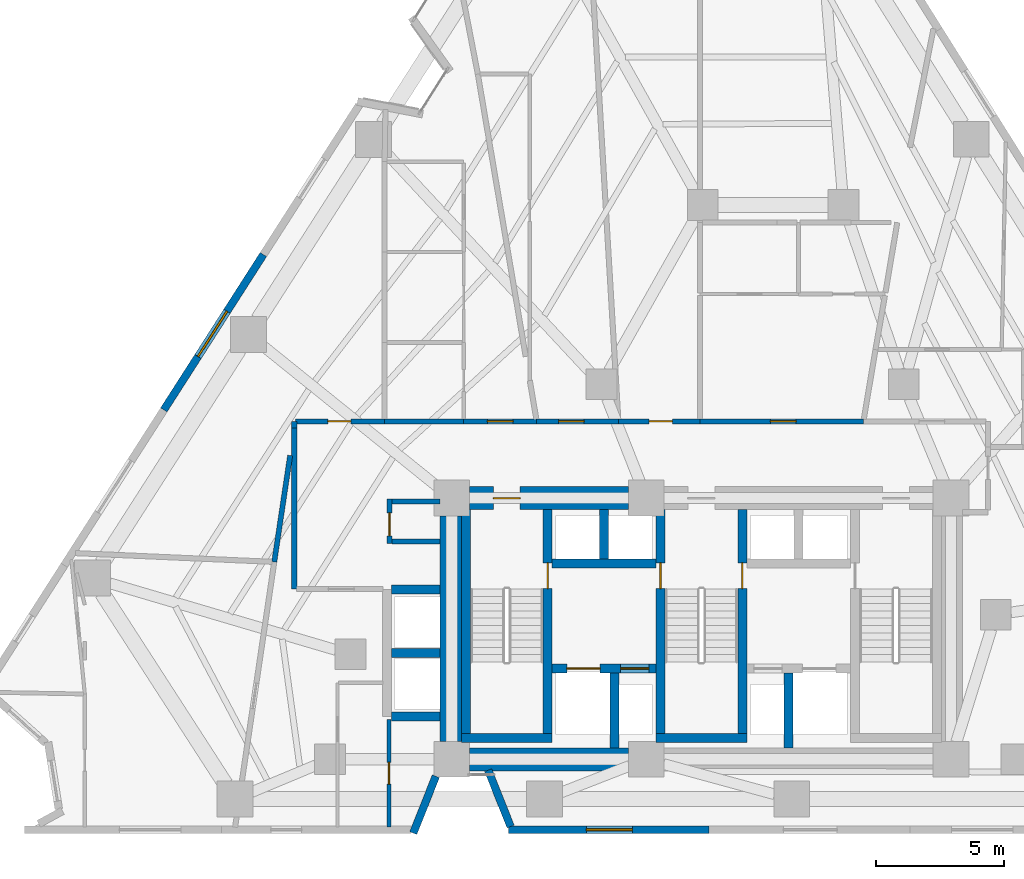
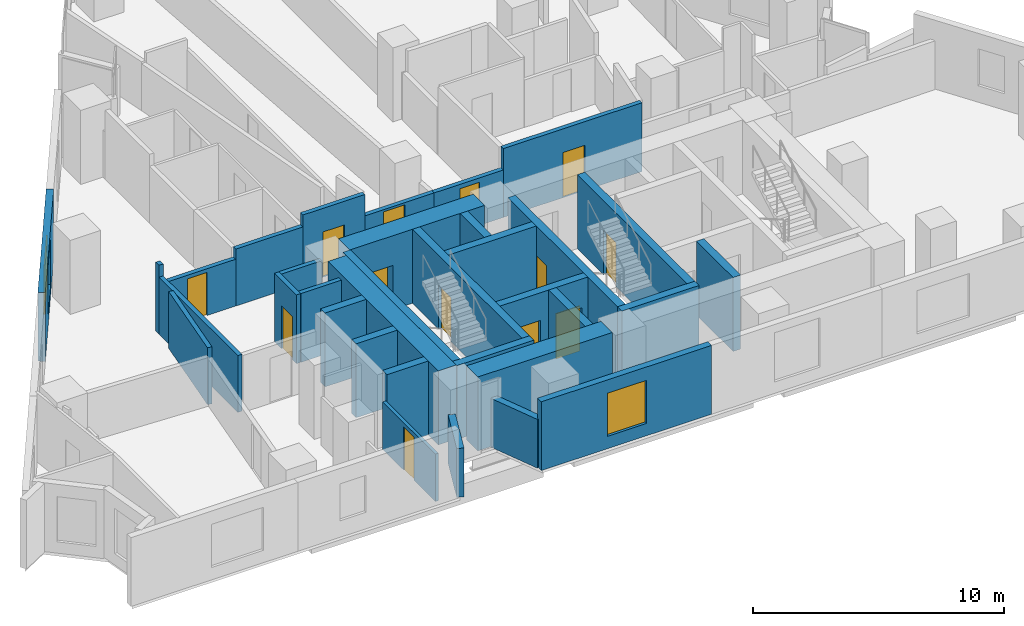
# One storey, part 7 of 12: 34 walls, 13 doors, 2 windows, 15 openings.
"""IFC4 building model written with IfcOpenShell, lengths in metres."""

from ifc_helpers import new_model, si_unit, direction, frame, frame_2d, origin, place, context, subcontext, project, spatial, rectangle, extrude, material, layer, layer_set, type_object, element, fill, save


model = new_model("IFC4")

# Units and contexts
model_context = context("Model", 3, precision=1e-05, world=origin(), true_north=direction((0.0, 1.0)))
body_context = subcontext(model_context, "Body", "Model", "MODEL_VIEW")
ifc_project = project(units=[si_unit("LENGTHUNIT", "METRE"), si_unit("AREAUNIT", "SQUARE_METRE"), si_unit("VOLUMEUNIT", "CUBIC_METRE"), si_unit("PLANEANGLEUNIT", "RADIAN"), si_unit("MASSUNIT", "GRAM", prefix="KILO")], contexts=[model_context])

# Site, building, storey
site_placement = place(None, origin())
site = spatial("IfcSite", under=ifc_project, at=site_placement, CompositionType="ELEMENT")
building_placement = place(site_placement, origin())
building = spatial("IfcBuilding", under=site, at=building_placement, Name="Almagre Mirador Tower", CompositionType="ELEMENT")
storey_placement = place(building_placement, frame((0.0, 0.0, 64.199951171875)))
storey = spatial("IfcBuildingStorey", under=building, at=storey_placement, Name="L15", CompositionType="ELEMENT", Elevation=64.199951171875)

# Wall, opening, window
ifc_material_1 = material(Name="Precast concrete C50/60", Category="concrete")
ifc_layer_1 = layer(ifc_material_1, 0.300048828125)
ifc_layer_set_1 = layer_set([ifc_layer_1], Name="Precast concrete C50/60")
wall_type_1 = type_object("IfcWallType", Name="WAL-EXT-300", PredefinedType="SOLIDWALL", material=ifc_layer_set_1)
wall_1_placement = place(storey_placement, frame((37.60498046875, 1.800048828125, 0.0), z_axis=(0.0, 0.0, 1.0), x_axis=(-1.0, 0.0, 0.0)))
wall_1 = element("IfcWall", 1, at=wall_1_placement, inside=storey, type_object=wall_type_1, Name="L15 expressed almagre precast frame wall 23", PredefinedType="SOLIDWALL", context=body_context, shape_type="SweptSolid", body=[
    extrude(rectangle(XDim=7.844970703125, YDim=0.300048828125, at=frame_2d((3.92236328125, 0.0))), origin(), (0.0, 0.0, 1.0), 3.35009765625),
])
opening_1_placement = place(wall_1_placement, frame((3.0, 0.0, 0.60009765625)))
opening_1 = element("IfcOpeningElement", 2, at=opening_1_placement, cuts=wall_1, Name="Opening WN-01", PredefinedType="OPENING", context=body_context, shape_type="SweptSolid", body=[
    extrude(rectangle(XDim=1.800048828125, YDim=2.10009765625, at=frame_2d((0.89990234375, 1.050048828125))), frame((0.0, 0.159902, 0.0), z_axis=(0.0, -1.0, 0.0), x_axis=(1.0, 0.0, 0.0)), (0.0, 0.0, 1.0), 0.320049),
])
ifc_material_2 = material(Name="Dark solar-control laminated hurricane glass", Category="glass")
window_type_1 = type_object("IfcWindowType", Name="WIN-1800X2100", PartitioningType="DOUBLE_PANEL_VERTICAL", PredefinedType="WINDOW", material=ifc_material_2)
window_1_placement = place(opening_1_placement, origin())
window_1 = element("IfcWindow", 3, at=window_1_placement, inside=storey, type_object=window_type_1, Name="L15 recessed hurricane window L15-RST-C", OverallHeight=2.10009765625, OverallWidth=1.800048828125, PartitioningType="SINGLE_PANEL", PredefinedType="WINDOW", context=body_context, shape_type="SweptSolid", body=[
    extrude(rectangle(XDim=1.800048828125, YDim=2.10009765625, at=frame_2d((0.89990234375, 1.050048828125))), frame((0.0, 0.030029296875, 0.0), z_axis=(0.0, -1.0, 0.0), x_axis=(1.0, 0.0, 0.0)), (0.0, 0.0, 1.0), 0.06005859375),
])
fill(opening_1, window_1)

# Walls
wall_2_placement = place(storey_placement, frame((29.85009765625, 1.92529296875, 0.0), z_axis=(0.0, 0.0, 1.0), x_axis=(-0.36946923074, 0.92924296475, 0.0)))
element("IfcWall", 4, at=wall_2_placement, inside=storey, type_object=wall_type_1, Name="L15 expressed almagre precast frame wall 24", PredefinedType="SOLIDWALL", context=body_context, shape_type="SweptSolid", body=[
    extrude(rectangle(XDim=2.366943359375, YDim=0.300048828125, at=frame_2d((1.18359375, 0.0))), origin(), (0.0, 0.0, 1.0), 2.375),
])
wall_3_placement = place(storey_placement, frame((26.930419921875, 3.887939453125, 0.0), z_axis=(0.0, 0.0, 1.0), x_axis=(-0.369538313764, -0.9292154942, 0.0)))
element("IfcWall", 5, at=wall_3_placement, inside=storey, type_object=wall_type_1, Name="L15 expressed almagre precast frame wall 25", PredefinedType="SOLIDWALL", context=body_context, shape_type="SweptSolid", body=[
    extrude(rectangle(XDim=2.386962890625, YDim=0.300048828125, at=frame_2d((1.193359375, 0.0))), origin(), (0.0, 0.0, 1.0), 2.375),
])

# Wall, opening, window
wall_4_placement = place(storey_placement, frame((16.305908203125, 18.196533203125, 0.0), z_axis=(0.0, 0.0, 1.0), x_axis=(0.53952943892, 0.841966736005, 0.0)))
wall_4 = element("IfcWall", 6, at=wall_4_placement, inside=storey, type_object=wall_type_1, Name="L15 expressed almagre precast frame wall 34", PredefinedType="SOLIDWALL", context=body_context, shape_type="SweptSolid", body=[
    extrude(rectangle(XDim=7.20703125, YDim=0.300048828125, at=frame_2d((3.603515625, 0.0))), origin(), (0.0, 0.0, 1.0), 3.35009765625),
])
opening_2_placement = place(wall_4_placement, frame((2.47509765625, 0.0, 0.550048828125)))
opening_2 = element("IfcOpeningElement", 7, at=opening_2_placement, cuts=wall_4, Name="Opening WN-05", PredefinedType="OPENING", context=body_context, shape_type="SweptSolid", body=[
    extrude(rectangle(XDim=2.10009765625, YDim=2.39990234375, at=frame_2d((1.050048828125, 1.199951171875))), frame((0.0, 0.159902, 0.0), z_axis=(0.0, -1.0, 0.0), x_axis=(1.0, 0.0, 0.0)), (0.0, 0.0, 1.0), 0.320049),
])
ifc_material_3 = material(Name="Dark solar-control laminated hurricane glass", Category="glass")
window_type_2 = type_object("IfcWindowType", Name="WIN-2100X2400", PartitioningType="DOUBLE_PANEL_VERTICAL", PredefinedType="WINDOW", material=ifc_material_3)
window_2_placement = place(opening_2_placement, origin())
window_2 = element("IfcWindow", 8, at=window_2_placement, inside=storey, type_object=window_type_2, Name="L15 recessed hurricane window L15-RST-F", OverallHeight=2.39990234375, OverallWidth=2.10009765625, PartitioningType="SINGLE_PANEL", PredefinedType="WINDOW", context=body_context, shape_type="SweptSolid", body=[
    extrude(rectangle(XDim=2.10009765625, YDim=2.39990234375, at=frame_2d((1.050048828125, 1.199951171875))), frame((0.0, 0.030029296875, 0.0), z_axis=(0.0, -1.0, 0.0), x_axis=(1.0, 0.0, 0.0)), (0.0, 0.0, 1.0), 0.06005859375),
])
fill(opening_2, window_2)

# Wall, opening, door
ifc_material_4 = material(Name="Gypsum acoustic stud partition", Category="other")
ifc_layer_2 = layer(ifc_material_4, 0.14990234375)
ifc_layer_set_2 = layer_set([ifc_layer_2], Name="Gypsum acoustic stud partition")
wall_type_2 = type_object("IfcWallType", Name="WAL-PRT-150-STD", PredefinedType="PARTITIONING", material=ifc_layer_set_2)
wall_5_placement = place(storey_placement, frame((25.10009765625, 1.89990234375, 0.0), z_axis=(0.0, 0.0, 1.0), x_axis=(0.0, 1.0, 0.0)))
wall_5 = element("IfcWall", 9, at=wall_5_placement, inside=storey, type_object=wall_type_2, Name="L15 interior partition 022", PredefinedType="PARTITIONING", context=body_context, shape_type="SweptSolid", body=[
    extrude(rectangle(XDim=4.2001953125, YDim=0.14990234375, at=frame_2d((2.10009765625, 0.0))), origin(), (0.0, 0.0, 1.0), 2.30908203125),
])
opening_3_placement = place(wall_5_placement, frame((1.68359375, 0.0, 0.0)))
opening_3 = element("IfcOpeningElement", 10, at=opening_3_placement, cuts=wall_5, Name="Opening UD-04", PredefinedType="OPENING", context=body_context, shape_type="SweptSolid", body=[
    extrude(rectangle(XDim=0.85009765625, YDim=2.10009765625, at=frame_2d((0.425048828125, 1.050048828125))), frame((0.0, 0.084951, 0.0), z_axis=(0.0, -1.0, 0.0), x_axis=(1.0, 0.0, 0.0)), (0.0, 0.0, 1.0), 0.169902),
])
ifc_material_5 = material(Name="Moisture-resistant oak timber", Category="wood")
door_type_1 = type_object("IfcDoorType", Name="DOR-UNR-850X2100", OperationType="NOTDEFINED", PredefinedType="DOOR", material=ifc_material_5)
door_1_placement = place(opening_3_placement, origin())
door_1 = element("IfcDoor", 11, at=door_1_placement, inside=storey, type_object=door_type_1, Name="DR-0505 L15 interior door L15-UB-KT to L15-UB-BT", OperationType="SINGLE_SWING_LEFT", OverallHeight=2.10009765625, OverallWidth=0.85009765625, PredefinedType="DOOR", context=body_context, shape_type="SweptSolid", body=[
    extrude(rectangle(XDim=0.85009765625, YDim=2.10009765625, at=frame_2d((0.425048828125, 1.050048828125))), frame((0.0, 0.02490234375, 0.0), z_axis=(0.0, -1.0, 0.0), x_axis=(1.0, 0.0, 0.0)), (0.0, 0.0, 1.0), 0.050048828125),
])
fill(opening_3, door_1)

ifc_material_6 = material(Name="Gypsum acoustic stud partition", Category="other")
ifc_layer_3 = layer(ifc_material_6, 0.199951171875)
ifc_layer_set_3 = layer_set([ifc_layer_3], Name="Gypsum acoustic stud partition")
wall_type_3 = type_object("IfcWallType", Name="WAL-PRT-200-EI60", PredefinedType="PARTITIONING", material=ifc_layer_set_3)
wall_6_placement = place(storey_placement, frame((25.1201171875, 12.969970703125, 0.0), z_axis=(0.0, 0.0, 1.0), x_axis=(0.0, 1.0, 0.0)))
wall_6 = element("IfcWall", 12, at=wall_6_placement, inside=storey, type_object=wall_type_3, Name="L15 core ancillary west wall", PredefinedType="PARTITIONING", context=body_context, shape_type="SweptSolid", body=[
    extrude(rectangle(XDim=1.739990234375, YDim=0.199951171875, at=frame_2d((0.8701171875, 0.0))), origin(), (0.0, 0.0, 1.0), 3.35009765625),
])
opening_4_placement = place(wall_6_placement, frame((0.304931640625, 0.0, 0.0)))
opening_4 = element("IfcOpeningElement", 13, at=opening_4_placement, cuts=wall_6, Name="Opening ID-03", PredefinedType="OPENING", context=body_context, shape_type="SweptSolid", body=[
    extrude(rectangle(XDim=0.89990234375, YDim=2.10009765625, at=frame_2d((0.449951171875, 1.050048828125))), frame((0.0, 0.110098, 0.0), z_axis=(0.0, -1.0, 0.0), x_axis=(1.0, 0.0, 0.0)), (0.0, 0.0, 1.0), 0.219951),
])
ifc_material_7 = material(Name="Fire-rated hollow steel", Category="steel")
door_type_2 = type_object("IfcDoorType", Name="DOR-FD60-900X2100", OperationType="NOTDEFINED", PredefinedType="DOOR", material=ifc_material_7)
door_2_placement = place(opening_4_placement, origin())
door_2 = element("IfcDoor", 14, at=door_2_placement, inside=storey, type_object=door_type_2, Name="DR-0493 L15 core ancillary corridor door", OperationType="SINGLE_SWING_LEFT", OverallHeight=2.10009765625, OverallWidth=0.89990234375, PredefinedType="DOOR", context=body_context, shape_type="SweptSolid", body=[
    extrude(rectangle(XDim=0.89990234375, YDim=2.10009765625, at=frame_2d((0.449951171875, 1.050048828125))), frame((0.0, 0.02490234375, 0.0), z_axis=(0.0, -1.0, 0.0), x_axis=(1.0, 0.0, 0.0)), (0.0, 0.0, 1.0), 0.050048828125),
])
fill(opening_4, door_2)

# Walls
for number, where, z_axis, x_axis, name in (
    (15, (25.22509765625, 14.6201171875, 0.0), (0.0, 0.0, 1.0), (1.0, 0.0, 0.0), "L15 core ancillary north wall"),
    (16, (25.22509765625, 13.06005859375, 0.0), (0.0, 0.0, 1.0), (1.0, 0.0, 0.0), "L15 core ancillary south wall"),
):
    element("IfcWall", number, at=place(storey_placement, frame(where, z_axis=z_axis, x_axis=x_axis)), inside=storey, type_object=wall_type_3, Name=name, PredefinedType="PARTITIONING", context=body_context, shape_type="SweptSolid", body=[
        extrude(rectangle(XDim=1.85986328125, YDim=0.199951171875, at=frame_2d((0.929931640625, 0.0))), origin(), (0.0, 0.0, 1.0), 3.35009765625),
    ])
wall_7_placement = place(storey_placement, frame((21.39990234375, 17.489990234375, 0.0), z_axis=(0.0, 0.0, 1.0), x_axis=(0.0, -1.0, 0.0)))
element("IfcWall", 17, at=wall_7_placement, inside=storey, type_object=wall_type_3, Name="L15 interior partition 001", PredefinedType="PARTITIONING", context=body_context, shape_type="SweptSolid", body=[
    extrude(rectangle(XDim=6.2900390625, YDim=0.199951171875, at=frame_2d((3.14501953125, 0.0))), origin(), (0.0, 0.0, 1.0), 2.77099609375),
])

# Wall, opening, door
wall_8_placement = place(storey_placement, frame((24.929931640625, 17.75, 0.0), z_axis=(0.0, 0.0, 1.0), x_axis=(-1.0, 0.0, 0.0)))
wall_8 = element("IfcWall", 18, at=wall_8_placement, inside=storey, type_object=wall_type_3, Name="L15 interior partition 005", PredefinedType="PARTITIONING", context=body_context, shape_type="SweptSolid", body=[
    extrude(rectangle(XDim=3.48486328125, YDim=0.199951171875, at=frame_2d((1.742431640625, 0.0))), origin(), (0.0, 0.0, 1.0), 2.279052734375),
])
opening_5_placement = place(wall_8_placement, frame((1.31494140625, 0.0, 0.0)))
opening_5 = element("IfcOpeningElement", 19, at=opening_5_placement, cuts=wall_8, Name="Opening ID-03", PredefinedType="OPENING", context=body_context, shape_type="SweptSolid", body=[
    extrude(rectangle(XDim=0.89990234375, YDim=2.10009765625, at=frame_2d((0.449951171875, 1.050048828125))), frame((0.0, 0.110098, 0.0), z_axis=(0.0, -1.0, 0.0), x_axis=(1.0, 0.0, 0.0)), (0.0, 0.0, 1.0), 0.219951),
])
door_3_placement = place(opening_5_placement, origin())
door_3 = element("IfcDoor", 20, at=door_3_placement, inside=storey, type_object=door_type_2, Name="DR-0499 L15 interior door L15-RCOR to L15-RST-F", OperationType="SINGLE_SWING_LEFT", OverallHeight=2.10009765625, OverallWidth=0.89990234375, PredefinedType="DOOR", context=body_context, shape_type="SweptSolid", body=[
    extrude(rectangle(XDim=0.89990234375, YDim=2.10009765625, at=frame_2d((0.449951171875, 1.050048828125))), frame((0.0, 0.02490234375, 0.0), z_axis=(0.0, -1.0, 0.0), x_axis=(1.0, 0.0, 0.0)), (0.0, 0.0, 1.0), 0.050048828125),
])
fill(opening_5, door_3)

# Wall
wall_9_placement = place(storey_placement, frame((21.39990234375, 17.75, 0.0), z_axis=(0.0, 0.0, 1.0), x_axis=(0.0, -1.0, 0.0)))
element("IfcWall", 21, at=wall_9_placement, inside=storey, type_object=wall_type_3, Name="L15 interior partition 006", PredefinedType="PARTITIONING", context=body_context, shape_type="SweptSolid", body=[
    extrude(rectangle(XDim=0.260009765625, YDim=0.199951171875, at=frame_2d((0.1298828125, 0.0))), origin(), (0.0, 0.0, 1.0), 3.35009765625),
])

# Wall, opening, door
wall_10_placement = place(storey_placement, frame((30.8701171875, 17.75, 0.0), z_axis=(0.0, 0.0, 1.0), x_axis=(-1.0, 0.0, 0.0)))
wall_10 = element("IfcWall", 22, at=wall_10_placement, inside=storey, type_object=wall_type_3, Name="L15 interior partition 007", PredefinedType="PARTITIONING", context=body_context, shape_type="SweptSolid", body=[
    extrude(rectangle(XDim=2.85009765625, YDim=0.199951171875, at=frame_2d((1.425048828125, 0.0))), origin(), (0.0, 0.0, 1.0), 3.35009765625),
])
opening_6_placement = place(wall_10_placement, frame((0.925048828125, 0.0, 0.0)))
opening_6 = element("IfcOpeningElement", 23, at=opening_6_placement, cuts=wall_10, Name="Opening ID-01", PredefinedType="OPENING", context=body_context, shape_type="SweptSolid", body=[
    extrude(rectangle(XDim=1.0, YDim=2.199951171875, at=frame_2d((0.5, 1.10009765625))), frame((0.0, 0.110098, 0.0), z_axis=(0.0, -1.0, 0.0), x_axis=(1.0, 0.0, 0.0)), (0.0, 0.0, 1.0), 0.219951),
])
ifc_material_8 = material(Name="Fire-rated walnut timber", Category="wood")
door_type_3 = type_object("IfcDoorType", Name="DOR-FD60-1000X2200", OperationType="NOTDEFINED", PredefinedType="DOOR", material=ifc_material_8)
door_4_placement = place(opening_6_placement, origin())
door_4 = element("IfcDoor", 24, at=door_4_placement, inside=storey, type_object=door_type_3, Name="DR-0506 L15 interior door L15-RCOR to L15-UG-LV", OperationType="SINGLE_SWING_RIGHT", OverallHeight=2.199951171875, OverallWidth=1.0, PredefinedType="DOOR", context=body_context, shape_type="SweptSolid", body=[
    extrude(rectangle(XDim=1.0, YDim=2.199951171875, at=frame_2d((0.5, 1.10009765625))), frame((0.0, 0.02490234375, 0.0), z_axis=(0.0, -1.0, 0.0), x_axis=(1.0, 0.0, 0.0)), (0.0, 0.0, 1.0), 0.050048828125),
])
fill(opening_6, door_4)

# Wall
wall_11_placement = place(storey_placement, frame((28.02001953125, 17.75, 0.0), z_axis=(0.0, 0.0, 1.0), x_axis=(-1.0, 0.0, 0.0)))
element("IfcWall", 25, at=wall_11_placement, inside=storey, type_object=wall_type_3, Name="L15 interior partition 008", PredefinedType="PARTITIONING", context=body_context, shape_type="SweptSolid", body=[
    extrude(rectangle(XDim=3.090087890625, YDim=0.199951171875, at=frame_2d((1.544921875, 0.0))), origin(), (0.0, 0.0, 1.0), 2.77099609375),
])

# Wall, opening, door
wall_12_placement = place(storey_placement, frame((43.6298828125, 17.75, 0.0), z_axis=(0.0, 0.0, 1.0), x_axis=(-1.0, 0.0, 0.0)))
wall_12 = element("IfcWall", 26, at=wall_12_placement, inside=storey, type_object=wall_type_3, Name="L15 interior partition 009", PredefinedType="PARTITIONING", context=body_context, shape_type="SweptSolid", body=[
    extrude(rectangle(XDim=6.3798828125, YDim=0.199951171875, at=frame_2d((3.18994140625, 0.0))), origin(), (0.0, 0.0, 1.0), 3.35009765625),
])
opening_7_placement = place(wall_12_placement, frame((2.630615234375, 0.0, 0.0)))
opening_7 = element("IfcOpeningElement", 27, at=opening_7_placement, cuts=wall_12, Name="Opening ID-01", PredefinedType="OPENING", context=body_context, shape_type="SweptSolid", body=[
    extrude(rectangle(XDim=1.0, YDim=2.199951171875, at=frame_2d((0.5, 1.10009765625))), frame((0.0, 0.110098, 0.0), z_axis=(0.0, -1.0, 0.0), x_axis=(1.0, 0.0, 0.0)), (0.0, 0.0, 1.0), 0.219951),
])
door_5_placement = place(opening_7_placement, origin())
door_5 = element("IfcDoor", 28, at=door_5_placement, inside=storey, type_object=door_type_3, Name="DR-0510 L15 interior door L15-RCOR to L15-UH-ST", OperationType="SINGLE_SWING_RIGHT", OverallHeight=2.199951171875, OverallWidth=1.0, PredefinedType="DOOR", context=body_context, shape_type="SweptSolid", body=[
    extrude(rectangle(XDim=1.0, YDim=2.199951171875, at=frame_2d((0.5, 1.10009765625))), frame((0.0, 0.02490234375, 0.0), z_axis=(0.0, -1.0, 0.0), x_axis=(1.0, 0.0, 0.0)), (0.0, 0.0, 1.0), 0.050048828125),
])
fill(opening_7, door_5)

wall_13_placement = place(storey_placement, frame((34.06005859375, 17.75, 0.0), z_axis=(0.0, 0.0, 1.0), x_axis=(-1.0, 0.0, 0.0)))
wall_13 = element("IfcWall", 29, at=wall_13_placement, inside=storey, type_object=wall_type_3, Name="L15 interior partition 012", PredefinedType="PARTITIONING", context=body_context, shape_type="SweptSolid", body=[
    extrude(rectangle(XDim=3.18994140625, YDim=0.199951171875, at=frame_2d((1.594970703125, 0.0))), origin(), (0.0, 0.0, 1.0), 2.30908203125),
])
opening_8_placement = place(wall_13_placement, frame((1.333740234375, 0.0, 0.0)))
opening_8 = element("IfcOpeningElement", 30, at=opening_8_placement, cuts=wall_13, Name="Opening ID-01", PredefinedType="OPENING", context=body_context, shape_type="SweptSolid", body=[
    extrude(rectangle(XDim=1.0, YDim=2.199951171875, at=frame_2d((0.5, 1.10009765625))), frame((0.0, 0.110098, 0.0), z_axis=(0.0, -1.0, 0.0), x_axis=(1.0, 0.0, 0.0)), (0.0, 0.0, 1.0), 0.219951),
])
door_6_placement = place(opening_8_placement, origin())
door_6 = element("IfcDoor", 31, at=door_6_placement, inside=storey, type_object=door_type_3, Name="DR-0516 L15 interior door L15-RCOR to L15-UK-LV", OperationType="SINGLE_SWING_RIGHT", OverallHeight=2.199951171875, OverallWidth=1.0, PredefinedType="DOOR", context=body_context, shape_type="SweptSolid", body=[
    extrude(rectangle(XDim=1.0, YDim=2.199951171875, at=frame_2d((0.5, 1.10009765625))), frame((0.0, 0.02490234375, 0.0), z_axis=(0.0, -1.0, 0.0), x_axis=(1.0, 0.0, 0.0)), (0.0, 0.0, 1.0), 0.050048828125),
])
fill(opening_8, door_6)

wall_14_placement = place(storey_placement, frame((37.25, 17.75, 0.0), z_axis=(0.0, 0.0, 1.0), x_axis=(-1.0, 0.0, 0.0)))
wall_14 = element("IfcWall", 32, at=wall_14_placement, inside=storey, type_object=wall_type_3, Name="L15 interior partition 013", PredefinedType="PARTITIONING", context=body_context, shape_type="SweptSolid", body=[
    extrude(rectangle(XDim=3.18994140625, YDim=0.199951171875, at=frame_2d((1.594970703125, 0.0))), origin(), (0.0, 0.0, 1.0), 2.30908203125),
])
opening_9_placement = place(wall_14_placement, frame((1.0859375, 0.0, 0.0)))
opening_9 = element("IfcOpeningElement", 33, at=opening_9_placement, cuts=wall_14, Name="Opening ID-03", PredefinedType="OPENING", context=body_context, shape_type="SweptSolid", body=[
    extrude(rectangle(XDim=0.89990234375, YDim=2.10009765625, at=frame_2d((0.449951171875, 1.050048828125))), frame((0.0, 0.110098, 0.0), z_axis=(0.0, -1.0, 0.0), x_axis=(1.0, 0.0, 0.0)), (0.0, 0.0, 1.0), 0.219951),
])
door_7_placement = place(opening_9_placement, origin())
door_7 = element("IfcDoor", 34, at=door_7_placement, inside=storey, type_object=door_type_2, Name="DR-0500 L15 interior door L15-RCOR to L15-RST-L", OperationType="SINGLE_SWING_RIGHT", OverallHeight=2.10009765625, OverallWidth=0.89990234375, PredefinedType="DOOR", context=body_context, shape_type="SweptSolid", body=[
    extrude(rectangle(XDim=0.89990234375, YDim=2.10009765625, at=frame_2d((0.449951171875, 1.050048828125))), frame((0.0, 0.02490234375, 0.0), z_axis=(0.0, -1.0, 0.0), x_axis=(1.0, 0.0, 0.0)), (0.0, 0.0, 1.0), 0.050048828125),
])
fill(opening_9, door_7)

# Walls
wall_15_placement = place(storey_placement, frame((21.239990234375, 16.4169921875, 0.0), z_axis=(0.0, 0.0, 1.0), x_axis=(-0.147485410428, -0.989064231337, 0.0)))
element("IfcWall", 35, at=wall_15_placement, inside=storey, type_object=wall_type_3, Name="L15 interior partition 021", PredefinedType="PARTITIONING", context=body_context, shape_type="SweptSolid", body=[
    extrude(rectangle(XDim=4.202880859375, YDim=0.199951171875, at=frame_2d((2.1015625, 0.0))), origin(), (0.0, 0.0, 1.0), 2.77099609375),
])
ifc_material_9 = material(Name="Concrete C60/75", Category="concrete")
ifc_layer_4 = layer(ifc_material_9, 0.35009765625)
ifc_layer_set_4 = layer_set([ifc_layer_4], Name="Concrete C60/75")
wall_type_4 = type_object("IfcWallType", Name="WAL-SHF-350", PredefinedType="SOLIDWALL", material=ifc_layer_set_4)
wall_16_placement = place(storey_placement, frame((28.10009765625, 5.199951171875, 0.0), z_axis=(0.0, 0.0, 1.0), x_axis=(0.0, 1.0, 0.0)))
element("IfcWall", 36, at=wall_16_placement, inside=storey, type_object=wall_type_4, Name="L15 shaft wall ST1-W", PredefinedType="SOLIDWALL", context=body_context, shape_type="SweptSolid", body=[
    extrude(rectangle(XDim=9.10009765625, YDim=0.35009765625, at=frame_2d((4.550048828125, 0.0))), origin(), (0.0, 0.0, 1.0), 3.60009765625),
])

# Wall, opening, door
wall_17_placement = place(storey_placement, frame((31.300048828125, 5.199951171875, 0.0), z_axis=(0.0, 0.0, 1.0), x_axis=(0.0, 1.0, 0.0)))
wall_17 = element("IfcWall", 37, at=wall_17_placement, inside=storey, type_object=wall_type_4, Name="L15 shaft wall ST1-E", PredefinedType="SOLIDWALL", context=body_context, shape_type="SweptSolid", body=[
    extrude(rectangle(XDim=9.10009765625, YDim=0.35009765625, at=frame_2d((4.550048828125, 0.0))), origin(), (0.0, 0.0, 1.0), 3.60009765625),
])
opening_10_placement = place(wall_17_placement, frame((6.02001953125, 0.0, 0.0)))
opening_10 = element("IfcOpeningElement", 38, at=opening_10_placement, cuts=wall_17, Name="Opening FD-01", PredefinedType="OPENING", context=body_context, shape_type="SweptSolid", body=[
    extrude(rectangle(XDim=1.0, YDim=2.14990234375, at=frame_2d((0.5, 1.074951171875))), frame((0.0, 0.185049, 0.0), z_axis=(0.0, -1.0, 0.0), x_axis=(1.0, 0.0, 0.0)), (0.0, 0.0, 1.0), 0.370098),
])
ifc_material_10 = material(Name="Fire-rated hollow steel", Category="steel")
door_type_4 = type_object("IfcDoorType", Name="DOR-FFL-1000X2150", OperationType="NOTDEFINED", PredefinedType="DOOR", material=ifc_material_10)
door_8_placement = place(opening_10_placement, origin())
door_8 = element("IfcDoor", 39, at=door_8_placement, inside=storey, type_object=door_type_4, Name="DR-0494 L15 FFL1-ST1 smokeproof door", OperationType="SINGLE_SWING_LEFT", OverallHeight=2.14990234375, OverallWidth=1.0, PredefinedType="DOOR", context=body_context, shape_type="SweptSolid", body=[
    extrude(rectangle(XDim=1.0, YDim=2.14990234375, at=frame_2d((0.5, 1.074951171875))), frame((0.0, 0.02490234375, 0.0), z_axis=(0.0, -1.0, 0.0), x_axis=(1.0, 0.0, 0.0)), (0.0, 0.0, 1.0), 0.050048828125),
])
fill(opening_10, door_8)

# Wall
wall_18_placement = place(storey_placement, frame((27.925048828125, 5.375, 0.0), z_axis=(0.0, 0.0, 1.0), x_axis=(1.0, 0.0, 0.0)))
element("IfcWall", 40, at=wall_18_placement, inside=storey, type_object=wall_type_4, Name="L15 shaft wall ST1-S", PredefinedType="SOLIDWALL", context=body_context, shape_type="SweptSolid", body=[
    extrude(rectangle(XDim=3.550048828125, YDim=0.35009765625, at=frame_2d((1.77490234375, 0.0))), origin(), (0.0, 0.0, 1.0), 3.60009765625),
])

# Wall, opening, door
wall_19_placement = place(storey_placement, frame((35.699951171875, 5.199951171875, 0.0), z_axis=(0.0, 0.0, 1.0), x_axis=(0.0, 1.0, 0.0)))
wall_19 = element("IfcWall", 41, at=wall_19_placement, inside=storey, type_object=wall_type_4, Name="L15 shaft wall ST2-W", PredefinedType="SOLIDWALL", context=body_context, shape_type="SweptSolid", body=[
    extrude(rectangle(XDim=9.10009765625, YDim=0.35009765625, at=frame_2d((4.550048828125, 0.0))), origin(), (0.0, 0.0, 1.0), 3.60009765625),
])
opening_11_placement = place(wall_19_placement, frame((6.02001953125, 0.0, 0.0)))
opening_11 = element("IfcOpeningElement", 42, at=opening_11_placement, cuts=wall_19, Name="Opening FD-01", PredefinedType="OPENING", context=body_context, shape_type="SweptSolid", body=[
    extrude(rectangle(XDim=1.0, YDim=2.14990234375, at=frame_2d((0.5, 1.074951171875))), frame((0.0, 0.185049, 0.0), z_axis=(0.0, -1.0, 0.0), x_axis=(1.0, 0.0, 0.0)), (0.0, 0.0, 1.0), 0.370098),
])
door_9_placement = place(opening_11_placement, origin())
door_9 = element("IfcDoor", 43, at=door_9_placement, inside=storey, type_object=door_type_4, Name="DR-0495 L15 FFL1-ST2 smokeproof door", OperationType="SINGLE_SWING_RIGHT", OverallHeight=2.14990234375, OverallWidth=1.0, PredefinedType="DOOR", context=body_context, shape_type="SweptSolid", body=[
    extrude(rectangle(XDim=1.0, YDim=2.14990234375, at=frame_2d((0.5, 1.074951171875))), frame((0.0, 0.02490234375, 0.0), z_axis=(0.0, -1.0, 0.0), x_axis=(1.0, 0.0, 0.0)), (0.0, 0.0, 1.0), 0.050048828125),
])
fill(opening_11, door_9)

wall_20_placement = place(storey_placement, frame((38.89990234375, 5.199951171875, 0.0), z_axis=(0.0, 0.0, 1.0), x_axis=(0.0, 1.0, 0.0)))
wall_20 = element("IfcWall", 44, at=wall_20_placement, inside=storey, type_object=wall_type_4, Name="L15 shaft wall ST2-E", PredefinedType="SOLIDWALL", context=body_context, shape_type="SweptSolid", body=[
    extrude(rectangle(XDim=9.10009765625, YDim=0.35009765625, at=frame_2d((4.550048828125, 0.0))), origin(), (0.0, 0.0, 1.0), 3.60009765625),
])
opening_12_placement = place(wall_20_placement, frame((6.02001953125, 0.0, 0.0)))
opening_12 = element("IfcOpeningElement", 45, at=opening_12_placement, cuts=wall_20, Name="Opening FD-01", PredefinedType="OPENING", context=body_context, shape_type="SweptSolid", body=[
    extrude(rectangle(XDim=1.0, YDim=2.14990234375, at=frame_2d((0.5, 1.074951171875))), frame((0.0, 0.185049, 0.0), z_axis=(0.0, -1.0, 0.0), x_axis=(1.0, 0.0, 0.0)), (0.0, 0.0, 1.0), 0.370098),
])
door_10_placement = place(opening_12_placement, origin())
door_10 = element("IfcDoor", 46, at=door_10_placement, inside=storey, type_object=door_type_4, Name="DR-0496 L15 FFL2-ST2 smokeproof door", OperationType="SINGLE_SWING_LEFT", OverallHeight=2.14990234375, OverallWidth=1.0, PredefinedType="DOOR", context=body_context, shape_type="SweptSolid", body=[
    extrude(rectangle(XDim=1.0, YDim=2.14990234375, at=frame_2d((0.5, 1.074951171875))), frame((0.0, 0.02490234375, 0.0), z_axis=(0.0, -1.0, 0.0), x_axis=(1.0, 0.0, 0.0)), (0.0, 0.0, 1.0), 0.050048828125),
])
fill(opening_12, door_10)

# Wall
wall_21_placement = place(storey_placement, frame((35.52490234375, 5.375, 0.0), z_axis=(0.0, 0.0, 1.0), x_axis=(1.0, 0.0, 0.0)))
element("IfcWall", 47, at=wall_21_placement, inside=storey, type_object=wall_type_4, Name="L15 shaft wall ST2-S", PredefinedType="SOLIDWALL", context=body_context, shape_type="SweptSolid", body=[
    extrude(rectangle(XDim=3.550048828125, YDim=0.35009765625, at=frame_2d((1.77490234375, 0.0))), origin(), (0.0, 0.0, 1.0), 3.60009765625),
])

# Wall, openings, doors
wall_22_placement = place(storey_placement, frame((31.47509765625, 8.10009765625, 0.0), z_axis=(0.0, 0.0, 1.0), x_axis=(1.0, 0.0, 0.0)))
wall_22 = element("IfcWall", 48, at=wall_22_placement, inside=storey, type_object=wall_type_4, Name="L15 shaft wall FSAE1-N", PredefinedType="SOLIDWALL", context=body_context, shape_type="SweptSolid", body=[
    extrude(rectangle(XDim=4.0498046875, YDim=0.35009765625, at=frame_2d((2.02490234375, 0.0))), origin(), (0.0, 0.0, 1.0), 3.60009765625),
])
opening_13_placement = place(wall_22_placement, frame((0.574951171875, 0.0, 0.0)))
opening_13 = element("IfcOpeningElement", 49, at=opening_13_placement, cuts=wall_22, Name="Opening LD-03", PredefinedType="OPENING", context=body_context, shape_type="SweptSolid", body=[
    extrude(rectangle(XDim=1.300048828125, YDim=2.25, at=frame_2d((0.64990234375, 1.125))), frame((0.0, 0.185049, 0.0), z_axis=(0.0, -1.0, 0.0), x_axis=(1.0, 0.0, 0.0)), (0.0, 0.0, 1.0), 0.370098),
])
opening_14_placement = place(wall_22_placement, frame((2.675048828125, 0.0, 0.0)))
opening_14 = element("IfcOpeningElement", 50, at=opening_14_placement, cuts=wall_22, Name="Opening LD-01", PredefinedType="OPENING", context=body_context, shape_type="SweptSolid", body=[
    extrude(rectangle(XDim=1.10009765625, YDim=2.199951171875, at=frame_2d((0.550048828125, 1.10009765625))), frame((0.0, 0.185049, 0.0), z_axis=(0.0, -1.0, 0.0), x_axis=(1.0, 0.0, 0.0)), (0.0, 0.0, 1.0), 0.370098),
])
ifc_material_11 = material(Name="Hollow stainless steel", Category="steel")
door_type_5 = type_object("IfcDoorType", Name="DOR-LD-1100X2200", OperationType="DOUBLE_DOOR_SLIDING", PredefinedType="DOOR", material=ifc_material_11)
door_11_placement = place(opening_14_placement, origin())
door_11 = element("IfcDoor", 51, at=door_11_placement, inside=storey, type_object=door_type_5, Name="DR-0524 L15 PL-L1 lift landing door", OperationType="DOUBLE_DOOR_SLIDING", OverallHeight=2.199951171875, OverallWidth=1.10009765625, PredefinedType="DOOR", context=body_context, shape_type="SweptSolid", body=[
    extrude(rectangle(XDim=1.10009765625, YDim=2.199951171875, at=frame_2d((0.550048828125, 1.10009765625))), frame((0.0, 0.02490234375, 0.0), z_axis=(0.0, -1.0, 0.0), x_axis=(1.0, 0.0, 0.0)), (0.0, 0.0, 1.0), 0.050048828125),
])
fill(opening_14, door_11)
ifc_material_12 = material(Name="Hollow stainless steel", Category="steel")
door_type_6 = type_object("IfcDoorType", Name="DOR-LD-1300X2250", OperationType="DOUBLE_DOOR_SLIDING", PredefinedType="DOOR", material=ifc_material_12)
door_12_placement = place(opening_13_placement, origin())
door_12 = element("IfcDoor", 52, at=door_12_placement, inside=storey, type_object=door_type_6, Name="DR-0522 L15 FSAE-1 lift landing door", OperationType="DOUBLE_DOOR_SLIDING", OverallHeight=2.25, OverallWidth=1.300048828125, PredefinedType="DOOR", context=body_context, shape_type="SweptSolid", body=[
    extrude(rectangle(XDim=1.300048828125, YDim=2.25, at=frame_2d((0.64990234375, 1.125))), frame((0.0, 0.02490234375, 0.0), z_axis=(0.0, -1.0, 0.0), x_axis=(1.0, 0.0, 0.0)), (0.0, 0.0, 1.0), 0.050048828125),
])
fill(opening_13, door_12)

# Walls
for number, where, z_axis, x_axis, name in (
    (53, (33.89990234375, 5.0, 0.0), (0.0, 0.0, 1.0), (0.0, 1.0, 0.0), "L15 shaft wall FSAE1-E"),
    (54, (40.699951171875, 5.0, 0.0), (0.0, 0.0, 1.0), (0.0, 1.0, 0.0), "L15 shaft wall FSAE2-W"),
):
    element("IfcWall", number, at=place(storey_placement, frame(where, z_axis=z_axis, x_axis=x_axis)), inside=storey, type_object=wall_type_4, Name=name, PredefinedType="SOLIDWALL", context=body_context, shape_type="SweptSolid", body=[
        extrude(rectangle(XDim=2.925048828125, YDim=0.35009765625, at=frame_2d((1.46240234375, 0.0))), origin(), (0.0, 0.0, 1.0), 3.60009765625),
    ])
wall_23_placement = place(storey_placement, frame((31.47509765625, 12.199951171875, 0.0), z_axis=(0.0, 0.0, 1.0), x_axis=(1.0, 0.0, 0.0)))
element("IfcWall", 55, at=wall_23_placement, inside=storey, type_object=wall_type_4, Name="L15 shaft wall PLM-S", PredefinedType="SOLIDWALL", context=body_context, shape_type="SweptSolid", body=[
    extrude(rectangle(XDim=4.0498046875, YDim=0.35009765625, at=frame_2d((2.02490234375, 0.0))), origin(), (0.0, 0.0, 1.0), 3.60009765625),
])
wall_24_placement = place(storey_placement, frame((33.5, 12.375, 0.0), z_axis=(0.0, 0.0, 1.0), x_axis=(0.0, 1.0, 0.0)))
element("IfcWall", 56, at=wall_24_placement, inside=storey, type_object=wall_type_4, Name="L15 shaft wall PLM-M", PredefinedType="SOLIDWALL", context=body_context, shape_type="SweptSolid", body=[
    extrude(rectangle(XDim=1.925048828125, YDim=0.35009765625, at=frame_2d((0.96240234375, 0.0))), origin(), (0.0, 0.0, 1.0), 3.60009765625),
])
for number, where, z_axis, x_axis, name in (
    (57, (25.199951171875, 6.22509765625, 0.0), (0.0, 0.0, 1.0), (1.0, 0.0, 0.0), "L15 shaft wall OL-S"),
    (58, (25.199951171875, 8.699951171875, 0.0), (0.0, 0.0, 1.0), (1.0, 0.0, 0.0), "L15 shaft wall OL-M"),
    (59, (25.199951171875, 11.175048828125, 0.0), (0.0, 0.0, 1.0), (1.0, 0.0, 0.0), "L15 shaft wall OL-N"),
):
    element("IfcWall", number, at=place(storey_placement, frame(where, z_axis=z_axis, x_axis=x_axis)), inside=storey, type_object=wall_type_4, Name=name, PredefinedType="SOLIDWALL", context=body_context, shape_type="SweptSolid", body=[
        extrude(rectangle(XDim=1.900146484375, YDim=0.35009765625, at=frame_2d((0.9501953125, 0.0))), origin(), (0.0, 0.0, 1.0), 3.60009765625),
    ])
ifc_material_13 = material(Name="Concrete C70/85", Category="concrete")
ifc_layer_5 = layer(ifc_material_13, 0.89990234375)
ifc_layer_set_5 = layer_set([ifc_layer_5], Name="Concrete C70/85")
wall_type_5 = type_object("IfcWallType", Name="WAL-SHR-900", PredefinedType="SHEAR", material=ifc_layer_set_5)
wall_25_placement = place(storey_placement, frame((28.25, 4.550048828125, 0.0), z_axis=(0.0, 0.0, 1.0), x_axis=(1.0, 0.0, 0.0)))
element("IfcWall", 60, at=wall_25_placement, inside=storey, type_object=wall_type_5, Name="L15 core shear wall S1", PredefinedType="SHEAR", context=body_context, shape_type="SweptSolid", body=[
    extrude(rectangle(XDim=6.199951171875, YDim=0.89990234375, at=frame_2d((3.10009765625, 0.0))), origin(), (0.0, 0.0, 1.0), 3.60009765625),
])

# Wall, opening, door
wall_26_placement = place(storey_placement, frame((28.25, 14.75, 0.0), z_axis=(0.0, 0.0, 1.0), x_axis=(1.0, 0.0, 0.0)))
wall_26 = element("IfcWall", 61, at=wall_26_placement, inside=storey, type_object=wall_type_5, Name="L15 core shear wall N1", PredefinedType="SHEAR", context=body_context, shape_type="SweptSolid", body=[
    extrude(rectangle(XDim=6.199951171875, YDim=0.89990234375, at=frame_2d((3.10009765625, 0.0))), origin(), (0.0, 0.0, 1.0), 3.60009765625),
])
opening_15_placement = place(wall_26_placement, frame((0.925048828125, 0.0, 0.0)))
opening_15 = element("IfcOpeningElement", 62, at=opening_15_placement, cuts=wall_26, Name="Opening SD-01", PredefinedType="OPENING", context=body_context, shape_type="SweptSolid", body=[
    extrude(rectangle(XDim=1.050048828125, YDim=2.14990234375, at=frame_2d((0.52490234375, 1.074951171875))), frame((0.0, 0.459951, 0.0), z_axis=(0.0, -1.0, 0.0), x_axis=(1.0, 0.0, 0.0)), (0.0, 0.0, 1.0), 0.919902),
])
ifc_material_14 = material(Name="Fire-rated hollow steel", Category="steel")
door_type_7 = type_object("IfcDoorType", Name="DOR-ST-1050X2150", OperationType="NOTDEFINED", PredefinedType="DOOR", material=ifc_material_14)
door_13_placement = place(opening_15_placement, origin())
door_13 = element("IfcDoor", 63, at=door_13_placement, inside=storey, type_object=door_type_7, Name="DR-0526 L15 protected exit stair ST-1 door", OperationType="SINGLE_SWING_RIGHT", OverallHeight=2.14990234375, OverallWidth=1.050048828125, PredefinedType="DOOR", context=body_context, shape_type="SweptSolid", body=[
    extrude(rectangle(XDim=1.050048828125, YDim=2.14990234375, at=frame_2d((0.52490234375, 1.074951171875))), frame((0.0, 0.02490234375, 0.0), z_axis=(0.0, -1.0, 0.0), x_axis=(1.0, 0.0, 0.0)), (0.0, 0.0, 1.0), 0.050048828125),
])
fill(opening_15, door_13)

# Wall
wall_27_placement = place(storey_placement, frame((27.550048828125, 5.25, 0.0), z_axis=(0.0, 0.0, 1.0), x_axis=(0.0, 1.0, 0.0)))
element("IfcWall", 64, at=wall_27_placement, inside=storey, type_object=wall_type_5, Name="L15 core shear wall W1", PredefinedType="SHEAR", context=body_context, shape_type="SweptSolid", body=[
    extrude(rectangle(XDim=8.800048828125, YDim=0.89990234375, at=frame_2d((4.39990234375, 0.0))), origin(), (0.0, 0.0, 1.0), 3.60009765625),
])

save(model, "model.ifc")
